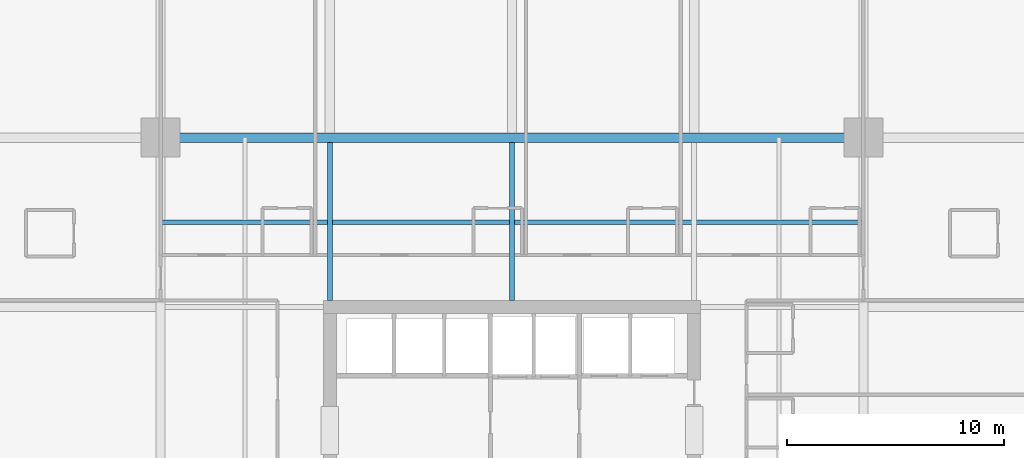
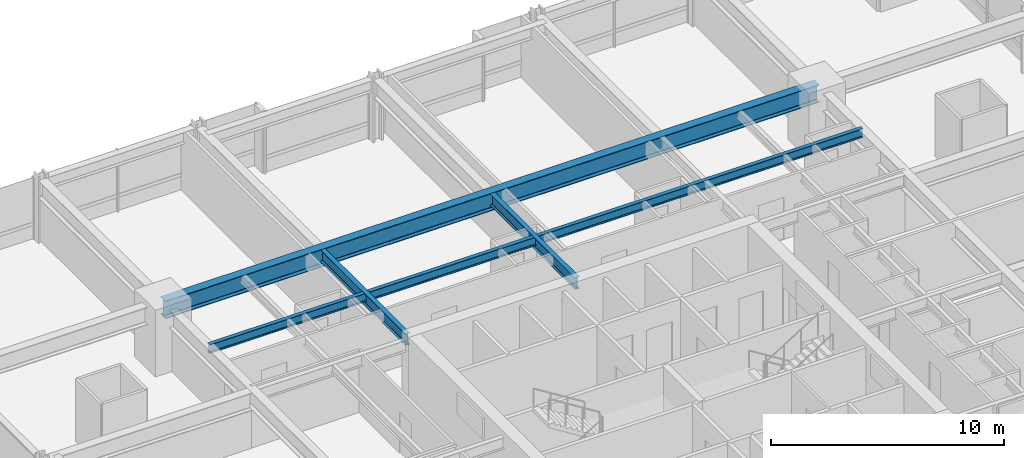
# One storey, part 20 of 38: 4 beams.
"""IFC4 building model written with IfcOpenShell, lengths in metres."""

from ifc_helpers import new_model, si_unit, direction, frame, origin, origin_2d, place, context, subcontext, project, spatial, i_section, extrude, material, material_profile, profile_set, type_object, element, save


model = new_model("IFC4")

# Units and contexts
model_context = context("Model", 3, precision=1e-05, world=origin(), true_north=direction((0.0, 1.0)))
body_context = subcontext(model_context, "Body", "Model", "MODEL_VIEW")
ifc_project = project(units=[si_unit("LENGTHUNIT", "METRE"), si_unit("AREAUNIT", "SQUARE_METRE"), si_unit("VOLUMEUNIT", "CUBIC_METRE"), si_unit("PLANEANGLEUNIT", "RADIAN"), si_unit("MASSUNIT", "GRAM", prefix="KILO")], contexts=[model_context])

# Site, building, storey
site_placement = place(None, origin())
site = spatial("IfcSite", under=ifc_project, at=site_placement, CompositionType="ELEMENT")
building_placement = place(site_placement, origin())
building = spatial("IfcBuilding", under=site, at=building_placement, Name="Drelvath Grand Hotel", CompositionType="ELEMENT")
storey_placement = place(building_placement, frame((0.0, 0.0, 47.199951171875)))
storey = spatial("IfcBuildingStorey", under=building, at=storey_placement, Name="L10", CompositionType="ELEMENT", Elevation=47.199951171875)

# Beams
ifc_material = material(Name="Steel ASTM A992 Gr 50", Category="steel")
ifc_material_profile_1 = material_profile(ifc_material, i_section(OverallWidth=0.19140625, OverallDepth=0.4599609375, WebThickness=0.010009765625, FlangeThickness=0.01611328125, FilletRadius=0.01611328125, at=origin_2d()), Name="W18X55")
ifc_profile_set_1 = profile_set([ifc_material_profile_1], Name="Steel ASTM A992 Gr 50")
beam_type_1 = type_object("IfcBeamType", Name="Composite Floor Joist W18X55", PredefinedType="JOIST", material=ifc_profile_set_1)
beam_1_placement = place(storey_placement, frame((-16.199951171875, 39.300048828125, 3.010009765625), z_axis=(1.0, 0.0, 0.0), x_axis=(0.0, 1.0, 0.0)))
element("IfcBeam", 1, at=beam_1_placement, inside=storey, type_object=beam_type_1, Name="L10 Floor Joist J2", PredefinedType="JOIST", context=body_context, shape_type="SweptSolid", body=[
    extrude(i_section(OverallWidth=0.19140625, OverallDepth=0.4599609375, WebThickness=0.010009765625, FlangeThickness=0.01611328125, FilletRadius=0.01611328125, at=origin_2d()), origin(), (0.0, 0.0, 1.0), 32.39990234375),
])
ifc_material_profile_2 = material_profile(ifc_material, i_section(OverallWidth=0.228271484375, OverallDepth=0.607666015625, WebThickness=0.01123046875, FlangeThickness=0.017333984375, FilletRadius=0.02001953125, at=origin_2d()), Name="W24X76")
ifc_profile_set_2 = profile_set([ifc_material_profile_2], Name="Steel ASTM A992 Gr 50")
beam_type_2 = type_object("IfcBeamType", Name="Primary Floor Girder W24X76", PredefinedType="BEAM", material=ifc_profile_set_2)
for number, where, z_axis, x_axis, name in (
    (2, (-8.39990234375, 35.699951171875, 2.936279296875), (0.0, 1.0, 0.0), (-1.0, 0.0, 0.0), "L10 North Core Tie 4"),
    (3, (0.0, 35.699951171875, 2.936279296875), (0.0, 1.0, 0.0), (-1.0, 0.0, 0.0), "L10 North Core Tie 5"),
):
    element("IfcBeam", number, at=place(storey_placement, frame(where, z_axis=z_axis, x_axis=x_axis)), inside=storey, type_object=beam_type_2, Name=name, PredefinedType="BEAM", context=body_context, shape_type="SweptSolid", body=[
        extrude(i_section(OverallWidth=0.228271484375, OverallDepth=0.607666015625, WebThickness=0.01123046875, FlangeThickness=0.017333984375, FilletRadius=0.02001953125, at=origin_2d()), origin(), (0.0, 0.0, 1.0), 7.290771484375),
    ])
ifc_material_profile_3 = material_profile(ifc_material, i_section(OverallWidth=0.418212890625, OverallDepth=0.926513671875, WebThickness=0.019287109375, FlangeThickness=0.031982421875, FilletRadius=0.028076171875, at=origin_2d()), Name="W36X231")
ifc_profile_set_3 = profile_set([ifc_material_profile_3], Name="Steel ASTM A992 Gr 50")
beam_type_3 = type_object("IfcBeamType", Name="Primary Floor Girder W36X231", PredefinedType="BEAM", material=ifc_profile_set_3)
beam_2_placement = place(storey_placement, frame((-16.199951171875, 43.199951171875, 2.77685546875), z_axis=(1.0, 0.0, 0.0), x_axis=(0.0, 1.0, 0.0)))
element("IfcBeam", 4, at=beam_2_placement, inside=storey, type_object=beam_type_3, Name="L10 Mega Ring Girder North", PredefinedType="BEAM", context=body_context, shape_type="SweptSolid", body=[
    extrude(i_section(OverallWidth=0.418212890625, OverallDepth=0.926513671875, WebThickness=0.019287109375, FlangeThickness=0.031982421875, FilletRadius=0.028076171875, at=origin_2d()), origin(), (0.0, 0.0, 1.0), 32.39990234375),
])

save(model, "model.ifc")
